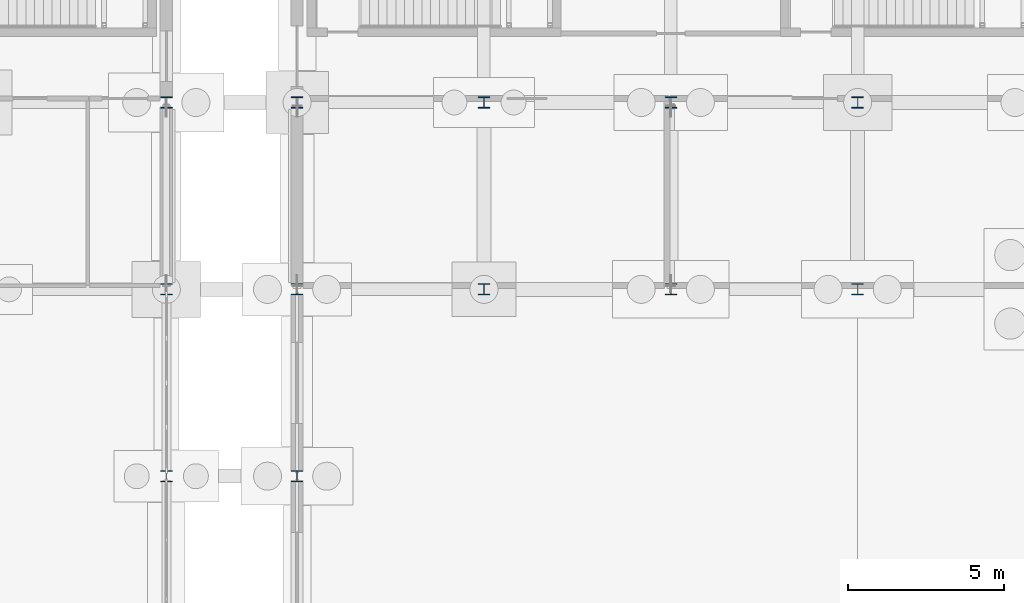
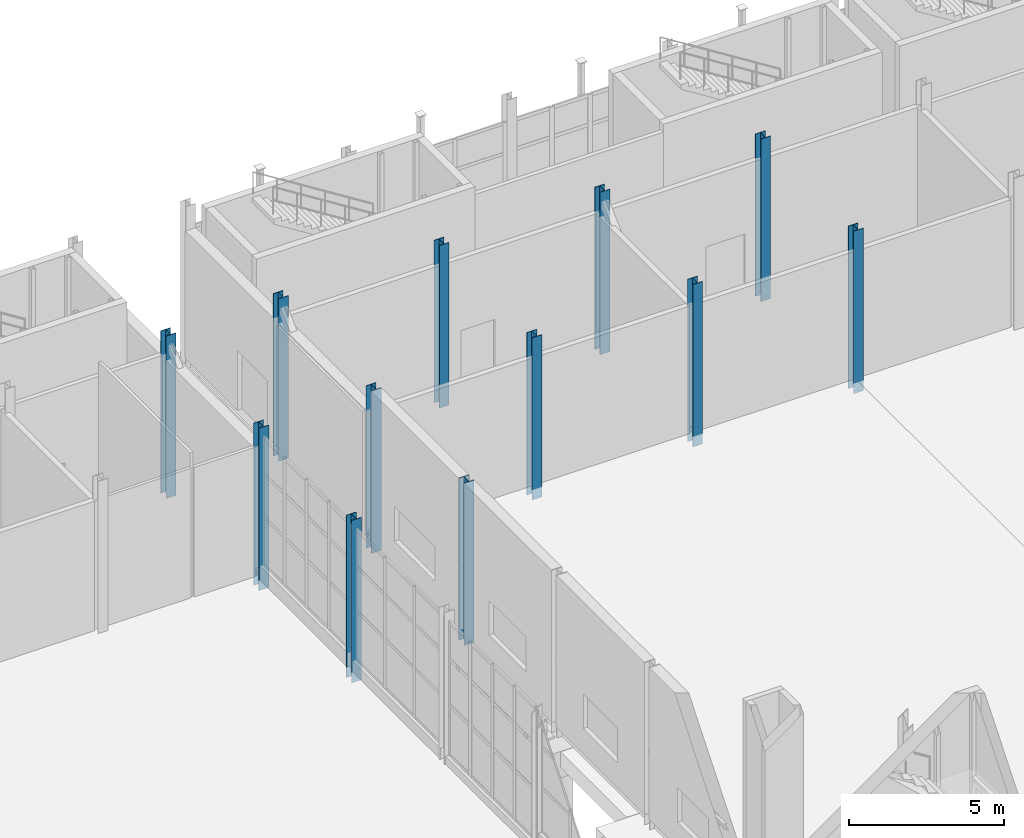
# One storey, part 13 of 120: 12 columns.
"""IFC4 building model written with IfcOpenShell, lengths in metres."""

import ifcopenshell
import ifcopenshell.guid

model = None  # the IFC model being written
_history = None  # IfcOwnerHistory: only IFC2X3 demands one
_inside = {}  # id of a spatial element -> (the spatial element, [elements in it])
_under = {}  # id of a project, library or spatial element -> (it, [spatial elements below it])
_declared = {}  # id of a project -> (the project, [libraries it declares])
_typed = {}  # id of a type object -> (the type object, [elements of that type])
_made_of = {}  # id of a material, layer set ... -> (it, [elements and type objects made of it])


def new_model(schema):
    """Start an empty IFC model of exactly this schema.

    Asked for "IFC4X3", IfcOpenShell would pick the latest addendum, in which some entities
    have other attributes; the version numbers below select the first issue.
    IFC2X3 requires an IfcOwnerHistory on every rooted entity: one is made here for all.
    """
    global model, _history
    if schema == "IFC4X3":
        model = ifcopenshell.file(schema_version=(4, 3, 0, 0))
    else:
        model = ifcopenshell.file(schema=schema)
    _inside.clear()
    _under.clear()
    _declared.clear()
    _typed.clear()
    _made_of.clear()
    _history = None
    if model.schema == "IFC2X3":
        org = make("IfcOrganization", Name="unknown")
        user = make(
            "IfcPersonAndOrganization",
            ThePerson=make("IfcPerson", FamilyName="unknown"),
            TheOrganization=org,
        )
        app = make(
            "IfcApplication",
            ApplicationDeveloper=org,
            Version="unknown",
            ApplicationFullName="unknown",
            ApplicationIdentifier="unknown",
        )
        _history = make(
            "IfcOwnerHistory",
            OwningUser=user,
            OwningApplication=app,
            ChangeAction="ADDED",
            CreationDate=0,
        )
    return model


def make(cls, **values):
    """One entity of the class cls with the attributes given. An attribute that is None is left unset."""
    return model.create_entity(
        cls, **{name: value for name, value in values.items() if value is not None}
    )


def rooted(cls, **values):
    """An entity with a GlobalId (a new one), such as an element, a storey or a relation."""
    return make(cls, GlobalId=ifcopenshell.guid.new(), OwnerHistory=_history, **values)


def si_unit(unit_type, name, prefix=None):
    """IfcSIUnit, for example si_unit("LENGTHUNIT", "METRE", prefix="MILLI")."""
    return make("IfcSIUnit", UnitType=unit_type, Prefix=prefix, Name=name)


def assignment(units):
    """IfcUnitAssignment: the units of a project."""
    return None if units is None else make("IfcUnitAssignment", Units=units)


def point(xyz):
    """IfcCartesianPoint."""
    return None if xyz is None else make("IfcCartesianPoint", Coordinates=xyz)


def direction(xyz):
    """IfcDirection."""
    return None if xyz is None else make("IfcDirection", DirectionRatios=xyz)


def frame(location, z_axis=None, x_axis=None):
    """IfcAxis2Placement3D, a coordinate frame: its origin and axes. An axis left out is left unset."""
    return make(
        "IfcAxis2Placement3D",
        Location=point(location),
        Axis=direction(z_axis),
        RefDirection=direction(x_axis),
    )


def frame_2d(location, x_axis=None):
    """IfcAxis2Placement2D, a coordinate frame in the plane: its origin and x axis."""
    return make(
        "IfcAxis2Placement2D", Location=point(location), RefDirection=direction(x_axis)
    )


def origin():
    """The frame at (0, 0, 0) with its axes left unset."""
    return frame((0.0, 0.0, 0.0))


def origin_2d():
    """The frame at (0, 0) in the plane with its x axis left unset."""
    return frame_2d((0.0, 0.0))


def place(relative_to, where):
    """IfcLocalPlacement: puts the frame where relative to a parent placement (None: the world)."""
    return make(
        "IfcLocalPlacement", PlacementRelTo=relative_to, RelativePlacement=where
    )


def context(
    kind, dimensions, precision=None, world=None, true_north=None, identifier=None
):
    """IfcGeometricRepresentationContext, for example the 3D "Model" context."""
    return make(
        "IfcGeometricRepresentationContext",
        ContextIdentifier=identifier,
        ContextType=kind,
        CoordinateSpaceDimension=dimensions,
        Precision=precision,
        WorldCoordinateSystem=world,
        TrueNorth=true_north,
    )


def subcontext(parent, identifier, kind, view, scale=None):
    """IfcGeometricRepresentationSubContext, for example "Body" below "Model"."""
    return make(
        "IfcGeometricRepresentationSubContext",
        ContextIdentifier=identifier,
        ContextType=kind,
        ParentContext=parent,
        TargetScale=scale,
        TargetView=view,
    )


def project(units=None, contexts=None):
    """IfcProject with its units and contexts."""
    return rooted(
        "IfcProject",
        Name="project",
        RepresentationContexts=contexts,
        UnitsInContext=assignment(units),
    )


def spatial(cls, under=None, at=None, **own):
    """A site, building, storey or space (cls), placed at a placement, below another one or the project."""
    s = rooted(cls, ObjectPlacement=at, **own)
    if under is not None:
        _under.setdefault(under.id(), (under, []))[1].append(s)
    return s


def profile(cls, at=None, kind="AREA", **sizes):
    """A parametric profile (cls). Its sizes go by their IFC names, for example OverallWidth=200.0."""
    return make(cls, ProfileType=kind, Position=at, **sizes)


def i_section(**sizes):
    """IfcIShapeProfileDef."""
    return profile("IfcIShapeProfileDef", **sizes)


def extrude(swept, where, along, depth):
    """IfcExtrudedAreaSolid: the profile swept, set in the frame where, extruded along a direction by depth."""
    return make(
        "IfcExtrudedAreaSolid",
        SweptArea=swept,
        Position=where,
        ExtrudedDirection=direction(along),
        Depth=depth,
    )


def shape(context_of_items, identifier, shape_type, items):
    """IfcShapeRepresentation: the items that make up one representation, for example the "Body"."""
    return make(
        "IfcShapeRepresentation",
        ContextOfItems=context_of_items,
        RepresentationIdentifier=identifier,
        RepresentationType=shape_type,
        Items=items,
    )


def material(Name=None, Category=None):
    """IfcMaterial."""
    return make("IfcMaterial", Name=Name, Category=Category)


def material_profile(
    of_material, cross_section, Name=None, Category=None, Priority=None
):
    """IfcMaterialProfile: a cross section and its material."""
    return make(
        "IfcMaterialProfile",
        Name=Name,
        Material=of_material,
        Profile=cross_section,
        Priority=Priority,
        Category=Category,
    )


def profile_set(profiles, Name=None, composite=None):
    """IfcMaterialProfileSet."""
    return make(
        "IfcMaterialProfileSet",
        Name=Name,
        MaterialProfiles=profiles,
        CompositeProfile=composite,
    )


def made_of(thing, what):
    """Note that an element or type object is made of a material, layer set ...; save() writes the relation."""
    if what is not None:
        _made_of.setdefault(what.id(), (what, []))[1].append(thing)
    return thing


def type_object(cls, material=None, **own):
    """A type object (cls), such as IfcWallType, which elements share."""
    return made_of(rooted(cls, **own), material)


def element(
    cls,
    number,
    at=None,
    inside=None,
    cuts=None,
    type_object=None,
    material=None,
    context=None,
    identifier="Body",
    shape_type=None,
    held_by="IfcProductDefinitionShape",
    body=None,
    shapes=None,
    **own,
):
    """One element of the class cls, such as IfcWall. Its Tag is "e" and its number.

    at: its placement. inside: the storey or other place that contains it. cuts: it is an
    opening in that element (IfcRelVoidsElement). A single representation is given by context,
    identifier, shape_type and body (its items); several are given by shapes. held_by: the class
    of the entity that holds the representations. save() writes the other relations.
    """
    e = rooted(cls, Tag="e%d" % number, ObjectPlacement=at, **own)
    if body is not None:
        shapes = [shape(context, identifier, shape_type, body)]
    if shapes is not None:
        e.Representation = make(held_by, Representations=shapes)
    if inside is not None:
        _inside.setdefault(inside.id(), (inside, []))[1].append(e)
    if cuts is not None:
        rooted(
            "IfcRelVoidsElement", RelatingBuildingElement=cuts, RelatedOpeningElement=e
        )
    if type_object is not None:
        _typed.setdefault(type_object.id(), (type_object, []))[1].append(e)
    return made_of(e, material)


def aggregate(whole, parts):
    """IfcRelAggregates: a whole, such as a stair, and the parts it consists of."""
    return rooted("IfcRelAggregates", RelatingObject=whole, RelatedObjects=parts)


def save(model, path):
    """Write the relations noted so far, then the file.

    IfcRelAggregates (storeys below a building ...), IfcRelContainedInSpatialStructure (elements
    in a storey), IfcRelDefinesByType, IfcRelAssociatesMaterial and IfcRelDeclares: one each for
    every whole, place, type object, material and project.
    """
    for whole, parts in _under.values():
        aggregate(whole, parts)
    for where, things in _inside.values():
        rooted(
            "IfcRelContainedInSpatialStructure",
            RelatedElements=things,
            RelatingStructure=where,
        )
    for kind, things in _typed.values():
        rooted("IfcRelDefinesByType", RelatedObjects=things, RelatingType=kind)
    for what, things in _made_of.values():
        rooted("IfcRelAssociatesMaterial", RelatedObjects=things, RelatingMaterial=what)
    for by, libraries in _declared.values():
        rooted("IfcRelDeclares", RelatingContext=by, RelatedDefinitions=libraries)
    model.write(path)


model = new_model("IFC4")

# Units and contexts
model_context = context("Model", 3, precision=1e-05, world=origin(), true_north=direction((0.0, 1.0)))
body_context = subcontext(model_context, "Body", "Model", "MODEL_VIEW")
ifc_project = project(units=[si_unit("LENGTHUNIT", "METRE"), si_unit("AREAUNIT", "SQUARE_METRE"), si_unit("VOLUMEUNIT", "CUBIC_METRE"), si_unit("PLANEANGLEUNIT", "RADIAN"), si_unit("MASSUNIT", "GRAM", prefix="KILO")], contexts=[model_context])

# Site, building, storey
site_placement = place(None, origin())
site = spatial("IfcSite", under=ifc_project, at=site_placement, CompositionType="ELEMENT")
building_placement = place(site_placement, origin())
building = spatial("IfcBuilding", under=site, at=building_placement, Name="Siltcreek Boulevard Central Fire Station", CompositionType="ELEMENT")
storey_placement = place(building_placement, origin())
storey = spatial("IfcBuildingStorey", under=building, at=storey_placement, Name="L01", CompositionType="ELEMENT", Elevation=0.0)

# Columns
ifc_material = material(Name="Structural steel ASTM A992 Gr50", Category="steel")
ifc_material_profile = material_profile(ifc_material, i_section(OverallWidth=0.368896484375, OverallDepth=0.35595703125, WebThickness=0.01123046875, FlangeThickness=0.01806640625, at=origin_2d()), Name="W360X134")
ifc_profile_set = profile_set([ifc_material_profile], Name="Structural steel ASTM A992 Gr50")
column_type = type_object("IfcColumnType", Name="COL_W360X134", PredefinedType="COLUMN", material=ifc_profile_set)
for number, where, z_axis, x_axis, name in (
    (1, (42.0, 36.0, -0.409912109375), (0.0, 0.0, 1.0), (1.0, 0.0, 0.0), "L01 structural column COLG-L01-420-360"),
    (2, (42.0, 42.0, -0.409912109375), (0.0, 0.0, 1.0), (1.0, 0.0, 0.0), "L01 structural column COLG-L01-420-420"),
    (3, (42.0, 48.0, -0.409912109375), (0.0, 0.0, 1.0), (1.0, 0.0, 0.0), "L01 structural column COLG-L01-420-480"),
    (4, (48.0, 42.0, -0.409912109375), (0.0, 0.0, 1.0), (1.0, 0.0, 0.0), "L01 structural column COLG-L01-480-420"),
    (5, (48.0, 48.0, -0.409912109375), (0.0, 0.0, 1.0), (1.0, 0.0, 0.0), "L01 structural column COLG-L01-480-480"),
    (6, (54.0, 42.0, -0.409912109375), (0.0, 0.0, 1.0), (1.0, 0.0, 0.0), "L01 structural column COLG-L01-540-420"),
    (7, (54.0, 48.0, -0.409912109375), (0.0, 0.0, 1.0), (1.0, 0.0, 0.0), "L01 structural column COLG-L01-540-480"),
    (8, (60.0, 42.0, -0.409912109375), (0.0, 0.0, 1.0), (1.0, 0.0, 0.0), "L01 structural column COLG-L01-600-420"),
    (9, (60.0, 48.0, -0.409912109375), (0.0, 0.0, 1.0), (1.0, 0.0, 0.0), "L01 structural column COLG-L01-600-480"),
    (10, (37.800048828125, 36.0, -0.409912109375), (0.0, 0.0, 1.0), (1.0, 0.0, 0.0), "L01 structural column COLG-L01-378-360"),
    (11, (37.800048828125, 42.0, -0.409912109375), (0.0, 0.0, 1.0), (1.0, 0.0, 0.0), "L01 structural column COLG-L01-378-420"),
    (12, (37.800048828125, 48.0, -0.409912109375), (0.0, 0.0, 1.0), (1.0, 0.0, 0.0), "L01 structural column COLG-L01-378-480"),
):
    element("IfcColumn", number, at=place(storey_placement, frame(where, z_axis=z_axis, x_axis=x_axis)), inside=storey, type_object=column_type, Name=name, PredefinedType="COLUMN", context=body_context, shape_type="SweptSolid", body=[
        extrude(i_section(OverallWidth=0.368896484375, OverallDepth=0.35595703125, WebThickness=0.01123046875, FlangeThickness=0.01806640625, at=origin_2d()), origin(), (0.0, 0.0, 1.0), 6.409912109375),
    ])

save(model, "model.ifc")
